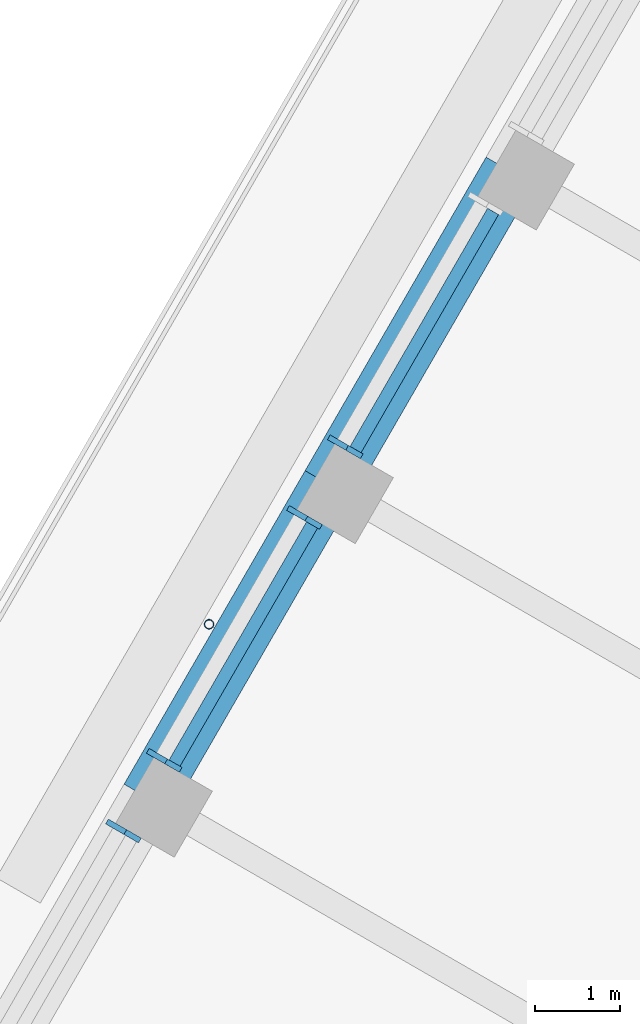
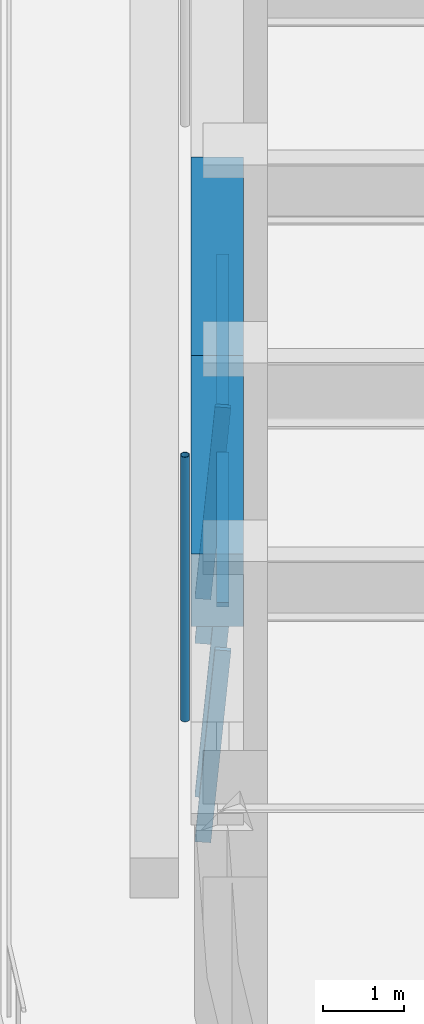
# One storey, part 6 of 19: 7 members, 2 beams, 3 elements without a shape of their own.
"""IFC4 building model written with IfcOpenShell, lengths in metres."""

from ifc_helpers import new_model, si_unit, direction, frame, origin, origin_2d, place, context, subcontext, project, spatial, rectangle, hollow_circle, extrude, material, material_profile, profile_set, type_object, element, aggregate, save


model = new_model("IFC4")

# Units and contexts
model_context = context("Model", 3, precision=1e-05, world=origin(), true_north=direction((0.0, 1.0)))
body_context = subcontext(model_context, "Body", "Model", "MODEL_VIEW")
ifc_project = project(units=[si_unit("LENGTHUNIT", "METRE"), si_unit("AREAUNIT", "SQUARE_METRE"), si_unit("VOLUMEUNIT", "CUBIC_METRE"), si_unit("PLANEANGLEUNIT", "RADIAN"), si_unit("MASSUNIT", "GRAM", prefix="KILO")], contexts=[model_context])

# Site, building, storey
site_placement = place(None, origin())
site = spatial("IfcSite", under=ifc_project, at=site_placement, CompositionType="ELEMENT")
building_placement = place(site_placement, origin())
building = spatial("IfcBuilding", under=site, at=building_placement, Name="Tarfa Lantern Tower", CompositionType="ELEMENT")
storey_placement = place(building_placement, frame((0.0, 0.0, 366.10009765625)))
storey = spatial("IfcBuildingStorey", under=building, at=storey_placement, Name="L83", CompositionType="ELEMENT", Elevation=366.10009765625)

# Curtain wall, member
ifc_material_1 = material(Name="Aluminium framed curtain wall", Category="aluminium")
curtain_wall_type = type_object("IfcCurtainWallType", Name="CW4 CANTED GLAZING EXECUTIVE ZONE 2900", PredefinedType="USERDEFINED", material=ifc_material_1)
curtain_wall_1_placement = place(storey_placement, origin())
curtain_wall_1 = element("IfcCurtainWall", 1, at=curtain_wall_1_placement, inside=storey, type_object=curtain_wall_type, Name="CW4 NW L83", ObjectType="CURTAIN WALL", PredefinedType="USERDEFINED")
ifc_material_2 = material(Name="Aluminium mullion", Category="aluminium")
ifc_material_profile_1 = material_profile(ifc_material_2, rectangle(XDim=0.06494140625, YDim=0.199951171875, at=origin_2d()), Name="AL MULLION 65x200")
ifc_profile_set_1 = profile_set([ifc_material_profile_1], Name="Aluminium mullion")
member_type_1 = type_object("IfcMemberType", Name="CWM1 MULLION 65x200", PredefinedType="MULLION", material=ifc_profile_set_1)
member_1_placement = place(storey_placement, frame((-24.979248046875, 10.034423828125, 0.0), z_axis=(0.074316405553, -0.042945823525, 0.996309554359), x_axis=(0.500342721131, 0.865827443207, 0.0)))
member_1 = element("IfcMember", 2, at=member_1_placement, type_object=member_type_1, Name="CW4 mullion 2", PredefinedType="MULLION", context=body_context, shape_type="SweptSolid", body=[
    extrude(rectangle(XDim=0.06494140625, YDim=0.199951171875, at=origin_2d()), origin(), (0.0, 0.0, 1.0), 2.91064453125),
])

# Curtain wall, members
curtain_wall_2_placement = place(storey_placement, origin())
curtain_wall_2 = element("IfcCurtainWall", 3, at=curtain_wall_2_placement, inside=storey, type_object=curtain_wall_type, Name="CW4 NW L83", ObjectType="CURTAIN WALL", PredefinedType="USERDEFINED")
member_2_placement = place(storey_placement, frame((-25.4619140625, 9.19873046875, 0.0), z_axis=(0.074399820079, -0.042945555672, 0.996303340364), x_axis=(0.499919672301, 0.866071776036, 0.0)))
member_2 = element("IfcMember", 4, at=member_2_placement, type_object=member_type_1, Name="CW4 mullion 1", PredefinedType="MULLION", context=body_context, shape_type="SweptSolid", body=[
    extrude(rectangle(XDim=0.06494140625, YDim=0.199951171875, at=origin_2d()), origin(), (0.0, 0.0, 1.0), 2.91064453125),
])
member_3_placement = place(storey_placement, frame((-27.120361328125, 6.326171875, 0.0), z_axis=(0.074399820079, -0.042945555672, 0.996303340364), x_axis=(0.499919672301, 0.866071776036, 0.0)))
member_3 = element("IfcMember", 5, at=member_3_placement, type_object=member_type_1, Name="CW4 mullion 2", PredefinedType="MULLION", context=body_context, shape_type="SweptSolid", body=[
    extrude(rectangle(XDim=0.06494140625, YDim=0.199951171875, at=origin_2d()), origin(), (0.0, 0.0, 1.0), 2.91064453125),
])

# Curtain wall, member
curtain_wall_3_placement = place(storey_placement, origin())
curtain_wall_3 = element("IfcCurtainWall", 6, at=curtain_wall_3_placement, inside=storey, type_object=curtain_wall_type, Name="CW4 NW L83", ObjectType="CURTAIN WALL", PredefinedType="USERDEFINED")
member_4_placement = place(storey_placement, frame((-27.602783203125, 5.490478515625, 0.0), z_axis=(0.074399820079, -0.042945555672, 0.996303340364), x_axis=(0.499919672301, 0.866071776036, 0.0)))
member_4 = element("IfcMember", 7, at=member_4_placement, type_object=member_type_1, Name="CW4 mullion 1", PredefinedType="MULLION", context=body_context, shape_type="SweptSolid", body=[
    extrude(rectangle(XDim=0.06494140625, YDim=0.199951171875, at=origin_2d()), origin(), (0.0, 0.0, 1.0), 2.91064453125),
])
aggregate(curtain_wall_3, [member_4])

# Member
ifc_material_3 = material(Name="Aluminium transom", Category="aluminium")
ifc_material_profile_2 = material_profile(ifc_material_3, rectangle(XDim=0.14990234375, YDim=0.06494140625, at=origin_2d()), Name="AL TRANSOM 150x65")
ifc_profile_set_2 = profile_set([ifc_material_profile_2], Name="Aluminium transom")
member_type_2 = type_object("IfcMemberType", Name="CWT1 TRANSOM 150x65", PredefinedType="USERDEFINED", material=ifc_profile_set_2)
member_5_placement = place(storey_placement, frame((-23.123046875, 12.75537109375, 2.867431640625), z_axis=(-0.499982393232, -0.866035568818, 0.0), x_axis=(0.866035568818, -0.499982393232, 0.0)))
member_5 = element("IfcMember", 8, at=member_5_placement, type_object=member_type_2, Name="CW4 transom 1.2", ObjectType="TRANSOM", PredefinedType="USERDEFINED", context=body_context, shape_type="SweptSolid", body=[
    extrude(rectangle(XDim=0.14990234375, YDim=0.06494140625, at=origin_2d()), origin(), (0.0, 0.0, 1.0), 3.251953125),
])

aggregate(curtain_wall_1, [member_1, member_5])

member_6_placement = place(storey_placement, frame((-25.263916015625, 9.047119140625, 2.867431640625), z_axis=(-0.499982393232, -0.866035568818, 0.0), x_axis=(0.866035568818, -0.499982393232, 0.0)))
member_6 = element("IfcMember", 9, at=member_6_placement, type_object=member_type_2, Name="CW4 transom 1.2", ObjectType="TRANSOM", PredefinedType="USERDEFINED", context=body_context, shape_type="SweptSolid", body=[
    extrude(rectangle(XDim=0.14990234375, YDim=0.06494140625, at=origin_2d()), origin(), (0.0, 0.0, 1.0), 3.251953125),
])

aggregate(curtain_wall_2, [member_2, member_3, member_6])

# Beams
ifc_material_4 = material(Name="Concrete C80/95", Category="concrete")
ifc_material_profile_3 = material_profile(ifc_material_4, rectangle(XDim=0.64990234375, YDim=1.10009765625, at=origin_2d()), Name="RC 650x1100")
ifc_profile_set_3 = profile_set([ifc_material_profile_3], Name="Concrete C80/95")
beam_type = type_object("IfcBeamType", Name="EB4 RC 650x1100", PredefinedType="SPANDREL", material=ifc_profile_set_3)
beam_1_placement = place(storey_placement, frame((-22.923583984375, 13.235107421875, 3.449951171875), z_axis=(-0.500002112793, -0.866024183959, 0.0), x_axis=(0.866024183959, -0.500002112793, 0.0)))
element("IfcBeam", 10, at=beam_1_placement, inside=storey, type_object=beam_type, Name="Edge beam NW3", PredefinedType="SPANDREL", context=body_context, shape_type="SweptSolid", body=[
    extrude(rectangle(XDim=0.64990234375, YDim=1.10009765625, at=origin_2d()), origin(), (0.0, 0.0, 1.0), 4.2822265625),
])
beam_2_placement = place(storey_placement, frame((-25.064697265625, 9.526611328125, 3.449951171875), z_axis=(-0.500026801138, -0.866009929587, 0.0), x_axis=(0.866009929587, -0.500026801138, 0.0)))
element("IfcBeam", 11, at=beam_2_placement, inside=storey, type_object=beam_type, Name="Edge beam NW4", PredefinedType="SPANDREL", context=body_context, shape_type="SweptSolid", body=[
    extrude(rectangle(XDim=0.64990234375, YDim=1.10009765625, at=origin_2d()), origin(), (0.0, 0.0, 1.0), 4.281982421875),
])

# Member
ifc_material_5 = material(Name="Steel S355", Category="steel")
ifc_material_profile_4 = material_profile(ifc_material_5, hollow_circle(Radius=0.05712890625, WallThickness=0.00634765625, at=origin_2d()), Name="CHS114.3x6.3")
ifc_profile_set_4 = profile_set([ifc_material_profile_4], Name="Steel S355")
member_type_3 = type_object("IfcMemberType", Name="TR1 GREEN WALL TRELLIS CHS114.3x6.3", PredefinedType="USERDEFINED", material=ifc_profile_set_4)
member_7_placement = place(storey_placement, frame((-26.481689453125, 7.87255859375, 0.0), z_axis=(0.0, 0.0, 1.0), x_axis=(1.0, 0.0, 0.0)))
element("IfcMember", 12, at=member_7_placement, inside=storey, type_object=member_type_3, Name="Trellis post NW 2", ObjectType="TRELLIS", PredefinedType="USERDEFINED", context=body_context, shape_type="SweptSolid", body=[
    extrude(hollow_circle(Radius=0.05712890625, WallThickness=0.00634765625, at=origin_2d()), origin(), (0.0, 0.0, 1.0), 4.0),
])

save(model, "model.ifc")
